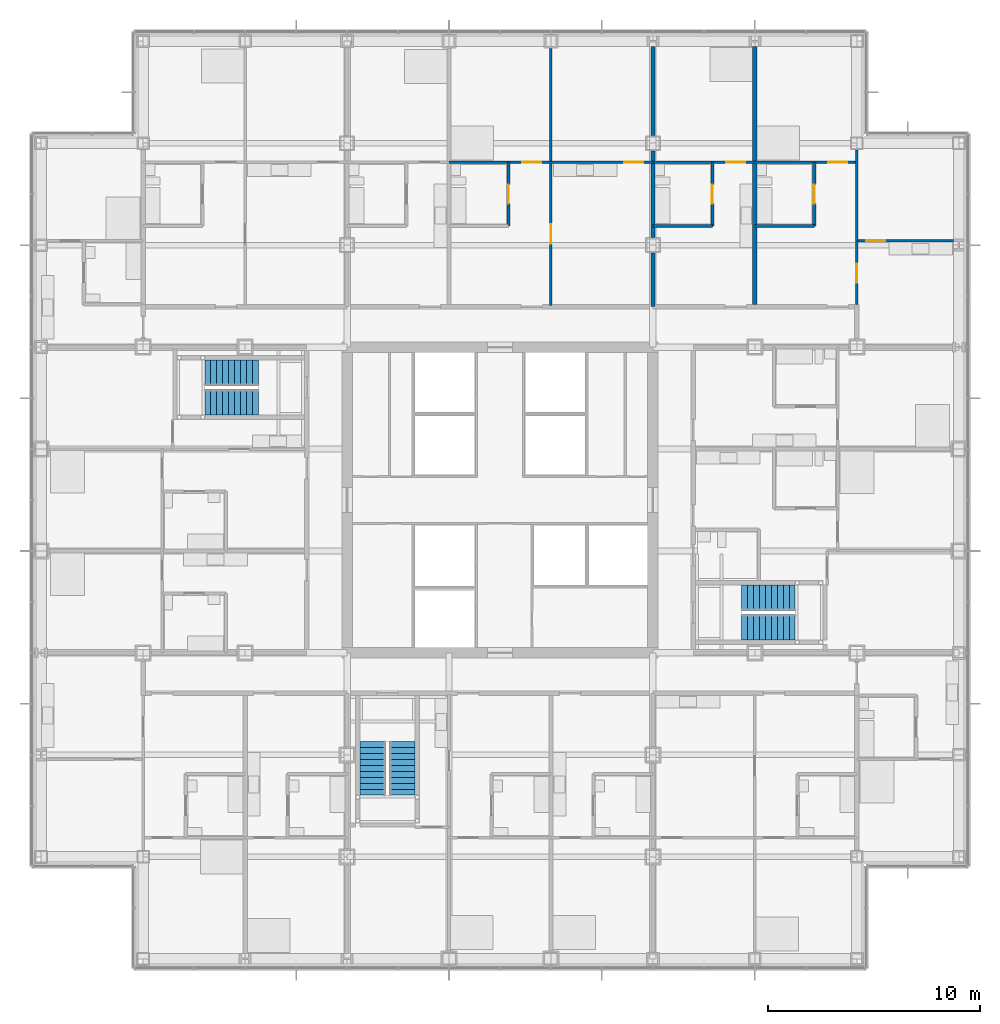
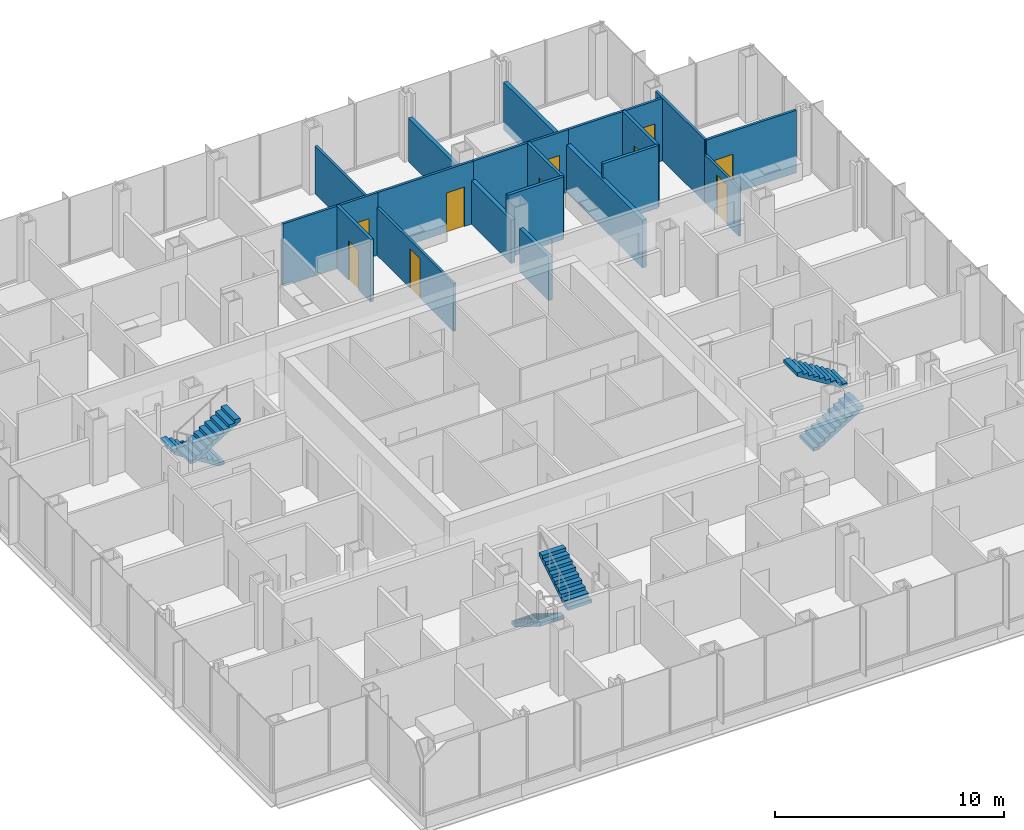
# One storey, part 18 of 21: 18 walls, 10 doors, 6 stair flights, 10 openings, 3 elements without a shape of their own.
"""IFC4 building model written with IfcOpenShell, lengths in metres."""

from ifc_helpers import new_model, si_unit, direction, frame, frame_2d, origin, place, context, subcontext, project, spatial, polyline, rectangle, outline, extrude, material, layer, layer_set, type_object, element, fill, aggregate, save


model = new_model("IFC4")

# Units and contexts
model_context = context("Model", 3, precision=1e-05, world=origin(), true_north=direction((0.0, 1.0)))
body_context = subcontext(model_context, "Body", "Model", "MODEL_VIEW")
ifc_project = project(units=[si_unit("LENGTHUNIT", "METRE"), si_unit("AREAUNIT", "SQUARE_METRE"), si_unit("VOLUMEUNIT", "CUBIC_METRE"), si_unit("PLANEANGLEUNIT", "RADIAN"), si_unit("MASSUNIT", "GRAM", prefix="KILO")], contexts=[model_context])

# Site, building, storey
site_placement = place(None, origin())
site = spatial("IfcSite", under=ifc_project, at=site_placement, CompositionType="ELEMENT")
building_placement = place(site_placement, origin())
building = spatial("IfcBuilding", under=site, at=building_placement, Name="Kvirike Care Tower", CompositionType="ELEMENT")
storey_placement = place(building_placement, frame((0.0, 0.0, 30.5)))
storey = spatial("IfcBuildingStorey", under=building, at=storey_placement, Name="L07", CompositionType="ELEMENT", Elevation=30.5)

# Wall, opening, door
ifc_material_1 = material(Name="Moisture-resistant board partition", Category="gypsum")
ifc_layer_1 = layer(ifc_material_1, 0.14990234375)
ifc_layer_set_1 = layer_set([ifc_layer_1], Name="BATHROOM WALL 150")
wall_type_1 = type_object("IfcWallType", Name="BATHROOM WALL 150", PredefinedType="PARTITIONING", material=ifc_layer_set_1)
wall_1_placement = place(storey_placement, frame((22.0, 51.89990234375, 0.0), z_axis=(0.0, 0.0, 1.0), x_axis=(0.0, -1.0, 0.0)))
wall_1 = element("IfcWall", 1, at=wall_1_placement, inside=storey, type_object=wall_type_1, Name="Bathroom Wall 150 L07", PredefinedType="PARTITIONING", context=body_context, shape_type="SweptSolid", body=[
    extrude(rectangle(XDim=3.0, YDim=0.14990234375, at=frame_2d((1.5, 0.0))), origin(), (0.0, 0.0, 1.0), 3.330078125),
])
opening_1_placement = place(wall_1_placement, frame((1.050048828125, 0.0, 0.0)))
opening_1 = element("IfcOpeningElement", 2, at=opening_1_placement, cuts=wall_1, Name="Opening 07-035", PredefinedType="OPENING", context=body_context, shape_type="SweptSolid", body=[
    extrude(rectangle(XDim=0.89990234375, YDim=2.10009765625, at=frame_2d((0.449951171875, 1.050048828125))), frame((0.0, 0.08544921875, 0.0), z_axis=(0.0, -1.0, 0.0), x_axis=(1.0, 0.0, 0.0)), (0.0, 0.0, 1.0), 0.1708984375),
])
ifc_material_2 = material(Name="Timber door set", Category="wood")
door_type_1 = type_object("IfcDoorType", Name="BATHROOM DOOR 900", OperationType="SINGLE_SWING_RIGHT", PredefinedType="DOOR", material=ifc_material_2)
door_1_placement = place(opening_1_placement, frame((0.89990234375, 0.0, 0.0), z_axis=(0.0, 0.0, 1.0), x_axis=(-1.0, 0.0, 0.0)))
door_1 = element("IfcDoor", 3, at=door_1_placement, inside=storey, type_object=door_type_1, Name="Bathroom door", OperationType="SINGLE_SWING_LEFT", OverallHeight=2.10009765625, OverallWidth=0.89990234375, PredefinedType="DOOR", context=body_context, shape_type="SweptSolid", body=[
    extrude(rectangle(XDim=0.89990234375, YDim=2.10009765625, at=frame_2d((0.449951171875, 1.050048828125))), frame((0.0, 0.02197265625, 0.0), z_axis=(0.0, -1.0, 0.0), x_axis=(1.0, 0.0, 0.0)), (0.0, 0.0, 1.0), 0.0439453125),
])
fill(opening_1, door_1)

wall_2_placement = place(storey_placement, frame((36.39990234375, 51.89990234375, 0.0), z_axis=(0.0, 0.0, 1.0), x_axis=(0.0, -1.0, 0.0)))
wall_2 = element("IfcWall", 4, at=wall_2_placement, inside=storey, type_object=wall_type_1, Name="Bathroom Wall 150 L07", PredefinedType="PARTITIONING", context=body_context, shape_type="SweptSolid", body=[
    extrude(rectangle(XDim=3.0, YDim=0.14990234375, at=frame_2d((1.5, 0.0))), origin(), (0.0, 0.0, 1.0), 3.330078125),
])
opening_2_placement = place(wall_2_placement, frame((1.050048828125, 0.0, 0.0)))
opening_2 = element("IfcOpeningElement", 5, at=opening_2_placement, cuts=wall_2, Name="Opening 07-060", PredefinedType="OPENING", context=body_context, shape_type="SweptSolid", body=[
    extrude(rectangle(XDim=0.89990234375, YDim=2.10009765625, at=frame_2d((0.449951171875, 1.050048828125))), frame((0.0, 0.08544921875, 0.0), z_axis=(0.0, -1.0, 0.0), x_axis=(1.0, 0.0, 0.0)), (0.0, 0.0, 1.0), 0.1708984375),
])
door_2_placement = place(opening_2_placement, frame((0.89990234375, 0.0, 0.0), z_axis=(0.0, 0.0, 1.0), x_axis=(-1.0, 0.0, 0.0)))
door_2 = element("IfcDoor", 6, at=door_2_placement, inside=storey, type_object=door_type_1, Name="Bathroom door", OperationType="SINGLE_SWING_LEFT", OverallHeight=2.10009765625, OverallWidth=0.89990234375, PredefinedType="DOOR", context=body_context, shape_type="SweptSolid", body=[
    extrude(rectangle(XDim=0.89990234375, YDim=2.10009765625, at=frame_2d((0.449951171875, 1.050048828125))), frame((0.0, 0.02197265625, 0.0), z_axis=(0.0, -1.0, 0.0), x_axis=(1.0, 0.0, 0.0)), (0.0, 0.0, 1.0), 0.0439453125),
])
fill(opening_2, door_2)

# Wall
wall_3_placement = place(storey_placement, frame((36.39990234375, 48.89990234375, 0.0), z_axis=(0.0, 0.0, 1.0), x_axis=(-1.0, 0.0, 0.0)))
element("IfcWall", 7, at=wall_3_placement, inside=storey, type_object=wall_type_1, Name="Bathroom Wall 150 L07", PredefinedType="PARTITIONING", context=body_context, shape_type="SweptSolid", body=[
    extrude(rectangle(XDim=2.7998046875, YDim=0.14990234375, at=frame_2d((1.39990234375, 0.0))), origin(), (0.0, 0.0, 1.0), 3.330078125),
])

# Wall, opening, door
wall_4_placement = place(storey_placement, frame((31.60009765625, 51.89990234375, 0.0), z_axis=(0.0, 0.0, 1.0), x_axis=(0.0, -1.0, 0.0)))
wall_4 = element("IfcWall", 8, at=wall_4_placement, inside=storey, type_object=wall_type_1, Name="Bathroom Wall 150 L07", PredefinedType="PARTITIONING", context=body_context, shape_type="SweptSolid", body=[
    extrude(rectangle(XDim=3.0, YDim=0.14990234375, at=frame_2d((1.5, 0.0))), origin(), (0.0, 0.0, 1.0), 3.330078125),
])
opening_3_placement = place(wall_4_placement, frame((1.050048828125, 0.0, 0.0)))
opening_3 = element("IfcOpeningElement", 9, at=opening_3_placement, cuts=wall_4, Name="Opening 07-064", PredefinedType="OPENING", context=body_context, shape_type="SweptSolid", body=[
    extrude(rectangle(XDim=0.89990234375, YDim=2.10009765625, at=frame_2d((0.449951171875, 1.050048828125))), frame((0.0, 0.08544921875, 0.0), z_axis=(0.0, -1.0, 0.0), x_axis=(1.0, 0.0, 0.0)), (0.0, 0.0, 1.0), 0.1708984375),
])
door_3_placement = place(opening_3_placement, frame((0.89990234375, 0.0, 0.0), z_axis=(0.0, 0.0, 1.0), x_axis=(-1.0, 0.0, 0.0)))
door_3 = element("IfcDoor", 10, at=door_3_placement, inside=storey, type_object=door_type_1, Name="Bathroom door", OperationType="SINGLE_SWING_LEFT", OverallHeight=2.10009765625, OverallWidth=0.89990234375, PredefinedType="DOOR", context=body_context, shape_type="SweptSolid", body=[
    extrude(rectangle(XDim=0.89990234375, YDim=2.10009765625, at=frame_2d((0.449951171875, 1.050048828125))), frame((0.0, 0.02197265625, 0.0), z_axis=(0.0, -1.0, 0.0), x_axis=(1.0, 0.0, 0.0)), (0.0, 0.0, 1.0), 0.0439453125),
])
fill(opening_3, door_3)

# Wall
wall_5_placement = place(storey_placement, frame((31.60009765625, 48.89990234375, 0.0), z_axis=(0.0, 0.0, 1.0), x_axis=(-1.0, 0.0, 0.0)))
element("IfcWall", 11, at=wall_5_placement, inside=storey, type_object=wall_type_1, Name="Bathroom Wall 150 L07", PredefinedType="PARTITIONING", context=body_context, shape_type="SweptSolid", body=[
    extrude(rectangle(XDim=2.800048828125, YDim=0.14990234375, at=frame_2d((1.39990234375, 0.0))), origin(), (0.0, 0.0, 1.0), 3.330078125),
])

# Wall, opening, door
ifc_material_3 = material(Name="Plasterboard partition", Category="gypsum")
ifc_layer_2 = layer(ifc_material_3, 0.1201171875)
ifc_layer_set_2 = layer_set([ifc_layer_2], Name="PARTITION 120")
wall_type_2 = type_object("IfcWallType", Name="PARTITION 120", PredefinedType="PARTITIONING", material=ifc_layer_set_2)
wall_6_placement = place(storey_placement, frame((24.0, 51.89990234375, 0.0), z_axis=(0.0, 0.0, 1.0), x_axis=(0.0, -1.0, 0.0)))
wall_6 = element("IfcWall", 12, at=wall_6_placement, inside=storey, type_object=wall_type_2, Name="Partition 120 L07", PredefinedType="PARTITIONING", context=body_context, shape_type="SweptSolid", body=[
    extrude(rectangle(XDim=6.75, YDim=0.1201171875, at=frame_2d((3.375, 0.0))), origin(), (0.0, 0.0, 1.0), 2.550048828125),
])
opening_4_placement = place(wall_6_placement, frame((2.925048828125, 0.0, 0.0)))
opening_4 = element("IfcOpeningElement", 13, at=opening_4_placement, cuts=wall_6, Name="Opening 07-036", PredefinedType="OPENING", context=body_context, shape_type="SweptSolid", body=[
    extrude(rectangle(XDim=0.89990234375, YDim=2.10009765625, at=frame_2d((0.449951171875, 1.050048828125))), frame((0.0, 0.070556640625, 0.0), z_axis=(0.0, -1.0, 0.0), x_axis=(1.0, 0.0, 0.0)), (0.0, 0.0, 1.0), 0.14111328125),
])
ifc_material_4 = material(Name="Timber door set", Category="wood")
door_type_2 = type_object("IfcDoorType", Name="INTERNAL DOOR 900", OperationType="SINGLE_SWING_LEFT", PredefinedType="DOOR", material=ifc_material_4)
door_4_placement = place(opening_4_placement, frame((0.89990234375, 0.0, 0.0), z_axis=(0.0, 0.0, 1.0), x_axis=(-1.0, 0.0, 0.0)))
door_4 = element("IfcDoor", 14, at=door_4_placement, inside=storey, type_object=door_type_2, Name="Hall door", OperationType="SINGLE_SWING_RIGHT", OverallHeight=2.10009765625, OverallWidth=0.89990234375, PredefinedType="DOOR", context=body_context, shape_type="SweptSolid", body=[
    extrude(rectangle(XDim=0.89990234375, YDim=2.10009765625, at=frame_2d((0.449951171875, 1.050048828125))), frame((0.0, 0.02197265625, 0.0), z_axis=(0.0, -1.0, 0.0), x_axis=(1.0, 0.0, 0.0)), (0.0, 0.0, 1.0), 0.0439453125),
])
fill(opening_4, door_4)

wall_7_placement = place(storey_placement, frame((28.800048828125, 51.89990234375, 0.0), z_axis=(0.0, 0.0, 1.0), x_axis=(-1.0, 0.0, 0.0)))
wall_7 = element("IfcWall", 15, at=wall_7_placement, inside=storey, type_object=wall_type_2, Name="Partition 120 L07", PredefinedType="PARTITIONING", context=body_context, shape_type="SweptSolid", body=[
    extrude(rectangle(XDim=4.800048828125, YDim=0.1201171875, at=frame_2d((2.39990234375, 0.0))), origin(), (0.0, 0.0, 1.0), 3.330078125),
])
opening_5_placement = place(wall_7_placement, frame((0.449951171875, 0.0, 0.0)))
opening_5 = element("IfcOpeningElement", 16, at=opening_5_placement, cuts=wall_7, Name="Opening 07-037", PredefinedType="OPENING", context=body_context, shape_type="SweptSolid", body=[
    extrude(rectangle(XDim=0.89990234375, YDim=2.10009765625, at=frame_2d((0.449951171875, 1.050048828125))), frame((0.0, 0.070556640625, 0.0), z_axis=(0.0, -1.0, 0.0), x_axis=(1.0, 0.0, 0.0)), (0.0, 0.0, 1.0), 0.14111328125),
])
door_5_placement = place(opening_5_placement, frame((0.89990234375, 0.0, 0.0), z_axis=(0.0, 0.0, 1.0), x_axis=(-1.0, 0.0, 0.0)))
door_5 = element("IfcDoor", 17, at=door_5_placement, inside=storey, type_object=door_type_2, Name="Apartment living room door", OperationType="SINGLE_SWING_LEFT", OverallHeight=2.10009765625, OverallWidth=0.89990234375, PredefinedType="DOOR", context=body_context, shape_type="SweptSolid", body=[
    extrude(rectangle(XDim=0.89990234375, YDim=2.10009765625, at=frame_2d((0.449951171875, 1.050048828125))), frame((0.0, 0.02197265625, 0.0), z_axis=(0.0, -1.0, 0.0), x_axis=(1.0, 0.0, 0.0)), (0.0, 0.0, 1.0), 0.0439453125),
])
fill(opening_5, door_5)

wall_8_placement = place(storey_placement, frame((24.0, 51.89990234375, 0.0), z_axis=(0.0, 0.0, 1.0), x_axis=(-1.0, 0.0, 0.0)))
wall_8 = element("IfcWall", 18, at=wall_8_placement, inside=storey, type_object=wall_type_2, Name="Partition 120 L07", PredefinedType="PARTITIONING", context=body_context, shape_type="SweptSolid", body=[
    extrude(rectangle(XDim=4.800048828125, YDim=0.1201171875, at=frame_2d((2.39990234375, 0.0))), origin(), (0.0, 0.0, 1.0), 3.330078125),
])
opening_6_placement = place(wall_8_placement, frame((0.449951171875, 0.0, 0.0)))
opening_6 = element("IfcOpeningElement", 19, at=opening_6_placement, cuts=wall_8, Name="Opening 07-038", PredefinedType="OPENING", context=body_context, shape_type="SweptSolid", body=[
    extrude(rectangle(XDim=0.89990234375, YDim=2.10009765625, at=frame_2d((0.449951171875, 1.050048828125))), frame((0.0, 0.070556640625, 0.0), z_axis=(0.0, -1.0, 0.0), x_axis=(1.0, 0.0, 0.0)), (0.0, 0.0, 1.0), 0.14111328125),
])
door_6_placement = place(opening_6_placement, origin())
door_6 = element("IfcDoor", 20, at=door_6_placement, inside=storey, type_object=door_type_2, Name="Apartment bedroom door", OperationType="SINGLE_SWING_RIGHT", OverallHeight=2.10009765625, OverallWidth=0.89990234375, PredefinedType="DOOR", context=body_context, shape_type="SweptSolid", body=[
    extrude(rectangle(XDim=0.89990234375, YDim=2.10009765625, at=frame_2d((0.449951171875, 1.050048828125))), frame((0.0, 0.02197265625, 0.0), z_axis=(0.0, -1.0, 0.0), x_axis=(1.0, 0.0, 0.0)), (0.0, 0.0, 1.0), 0.0439453125),
])
fill(opening_6, door_6)

# Wall
wall_9_placement = place(storey_placement, frame((24.0, 57.2548828125, 0.0), z_axis=(0.0, 0.0, 1.0), x_axis=(0.0, -1.0, 0.0)))
element("IfcWall", 21, at=wall_9_placement, inside=storey, type_object=wall_type_2, Name="Partition 120 L07", PredefinedType="PARTITIONING", context=body_context, shape_type="SweptSolid", body=[
    extrude(rectangle(XDim=5.35498046875, YDim=0.1201171875, at=frame_2d((2.677490234375, 0.0))), origin(), (0.0, 0.0, 1.0), 2.550048828125),
])

# Wall, opening, door
wall_10_placement = place(storey_placement, frame((38.39990234375, 48.199951171875, 0.0), z_axis=(0.0, 0.0, 1.0), x_axis=(0.0, -1.0, 0.0)))
wall_10 = element("IfcWall", 22, at=wall_10_placement, inside=storey, type_object=wall_type_2, Name="Partition 120 L07", PredefinedType="PARTITIONING", context=body_context, shape_type="SweptSolid", body=[
    extrude(rectangle(XDim=3.0, YDim=0.1201171875, at=frame_2d((1.5, 0.0))), origin(), (0.0, 0.0, 1.0), 2.550048828125),
])
opening_7_placement = place(wall_10_placement, frame((1.074951171875, 0.0, 0.0)))
opening_7 = element("IfcOpeningElement", 23, at=opening_7_placement, cuts=wall_10, Name="Opening 07-061", PredefinedType="OPENING", context=body_context, shape_type="SweptSolid", body=[
    extrude(rectangle(XDim=0.89990234375, YDim=2.10009765625, at=frame_2d((0.449951171875, 1.050048828125))), frame((0.0, 0.070556640625, 0.0), z_axis=(0.0, -1.0, 0.0), x_axis=(1.0, 0.0, 0.0)), (0.0, 0.0, 1.0), 0.14111328125),
])
door_7_placement = place(opening_7_placement, frame((0.89990234375, 0.0, 0.0), z_axis=(0.0, 0.0, 1.0), x_axis=(-1.0, 0.0, 0.0)))
door_7 = element("IfcDoor", 24, at=door_7_placement, inside=storey, type_object=door_type_2, Name="Hall door", OperationType="SINGLE_SWING_RIGHT", OverallHeight=2.10009765625, OverallWidth=0.89990234375, PredefinedType="DOOR", context=body_context, shape_type="SweptSolid", body=[
    extrude(rectangle(XDim=0.89990234375, YDim=2.10009765625, at=frame_2d((0.449951171875, 1.050048828125))), frame((0.0, 0.02197265625, 0.0), z_axis=(0.0, -1.0, 0.0), x_axis=(1.0, 0.0, 0.0)), (0.0, 0.0, 1.0), 0.0439453125),
])
fill(opening_7, door_7)

wall_11_placement = place(storey_placement, frame((42.952880859375, 48.199951171875, 0.0), z_axis=(0.0, 0.0, 1.0), x_axis=(-1.0, 0.0, 0.0)))
wall_11 = element("IfcWall", 25, at=wall_11_placement, inside=storey, type_object=wall_type_2, Name="Partition 120 L07", PredefinedType="PARTITIONING", context=body_context, shape_type="SweptSolid", body=[
    extrude(rectangle(XDim=4.552978515625, YDim=0.1201171875, at=frame_2d((2.2763671875, 0.0))), origin(), (0.0, 0.0, 1.0), 3.330078125),
])
opening_8_placement = place(wall_11_placement, frame((3.202880859375, 0.0, 0.0)))
opening_8 = element("IfcOpeningElement", 26, at=opening_8_placement, cuts=wall_11, Name="Opening 07-062", PredefinedType="OPENING", context=body_context, shape_type="SweptSolid", body=[
    extrude(rectangle(XDim=0.89990234375, YDim=2.10009765625, at=frame_2d((0.449951171875, 1.050048828125))), frame((0.0, 0.070556640625, 0.0), z_axis=(0.0, -1.0, 0.0), x_axis=(1.0, 0.0, 0.0)), (0.0, 0.0, 1.0), 0.14111328125),
])
door_8_placement = place(opening_8_placement, frame((0.89990234375, 0.0, 0.0), z_axis=(0.0, 0.0, 1.0), x_axis=(-1.0, 0.0, 0.0)))
door_8 = element("IfcDoor", 27, at=door_8_placement, inside=storey, type_object=door_type_2, Name="Apartment living room door", OperationType="SINGLE_SWING_RIGHT", OverallHeight=2.10009765625, OverallWidth=0.89990234375, PredefinedType="DOOR", context=body_context, shape_type="SweptSolid", body=[
    extrude(rectangle(XDim=0.89990234375, YDim=2.10009765625, at=frame_2d((0.449951171875, 1.050048828125))), frame((0.0, 0.02197265625, 0.0), z_axis=(0.0, -1.0, 0.0), x_axis=(1.0, 0.0, 0.0)), (0.0, 0.0, 1.0), 0.0439453125),
])
fill(opening_8, door_8)

wall_12_placement = place(storey_placement, frame((38.39990234375, 51.89990234375, 0.0), z_axis=(0.0, 0.0, 1.0), x_axis=(-1.0, 0.0, 0.0)))
wall_12 = element("IfcWall", 28, at=wall_12_placement, inside=storey, type_object=wall_type_2, Name="Partition 120 L07", PredefinedType="PARTITIONING", context=body_context, shape_type="SweptSolid", body=[
    extrude(rectangle(XDim=4.7998046875, YDim=0.1201171875, at=frame_2d((2.39990234375, 0.0))), origin(), (0.0, 0.0, 1.0), 3.330078125),
])
opening_9_placement = place(wall_12_placement, frame((0.449951171875, 0.0, 0.0)))
opening_9 = element("IfcOpeningElement", 29, at=opening_9_placement, cuts=wall_12, Name="Opening 07-063", PredefinedType="OPENING", context=body_context, shape_type="SweptSolid", body=[
    extrude(rectangle(XDim=0.89990234375, YDim=2.10009765625, at=frame_2d((0.449951171875, 1.050048828125))), frame((0.0, 0.070556640625, 0.0), z_axis=(0.0, -1.0, 0.0), x_axis=(1.0, 0.0, 0.0)), (0.0, 0.0, 1.0), 0.14111328125),
])
door_9_placement = place(opening_9_placement, origin())
door_9 = element("IfcDoor", 30, at=door_9_placement, inside=storey, type_object=door_type_2, Name="Apartment bedroom door", OperationType="SINGLE_SWING_RIGHT", OverallHeight=2.10009765625, OverallWidth=0.89990234375, PredefinedType="DOOR", context=body_context, shape_type="SweptSolid", body=[
    extrude(rectangle(XDim=0.89990234375, YDim=2.10009765625, at=frame_2d((0.449951171875, 1.050048828125))), frame((0.0, 0.02197265625, 0.0), z_axis=(0.0, -1.0, 0.0), x_axis=(1.0, 0.0, 0.0)), (0.0, 0.0, 1.0), 0.0439453125),
])
fill(opening_9, door_9)

# Wall
wall_13_placement = place(storey_placement, frame((38.39990234375, 52.47998046875, 0.0), z_axis=(0.0, 0.0, 1.0), x_axis=(0.0, -1.0, 0.0)))
element("IfcWall", 31, at=wall_13_placement, inside=storey, type_object=wall_type_2, Name="Partition 120 L07", PredefinedType="PARTITIONING", context=body_context, shape_type="SweptSolid", body=[
    extrude(rectangle(XDim=4.280029296875, YDim=0.1201171875, at=frame_2d((2.14013671875, 0.0))), origin(), (0.0, 0.0, 1.0), 3.330078125),
])

# Wall, opening, door
wall_14_placement = place(storey_placement, frame((33.60009765625, 51.89990234375, 0.0), z_axis=(0.0, 0.0, 1.0), x_axis=(-1.0, 0.0, 0.0)))
wall_14 = element("IfcWall", 32, at=wall_14_placement, inside=storey, type_object=wall_type_2, Name="Partition 120 L07", PredefinedType="PARTITIONING", context=body_context, shape_type="SweptSolid", body=[
    extrude(rectangle(XDim=4.800048828125, YDim=0.1201171875, at=frame_2d((2.39990234375, 0.0))), origin(), (0.0, 0.0, 1.0), 3.330078125),
])
opening_10_placement = place(wall_14_placement, frame((0.449951171875, 0.0, 0.0)))
opening_10 = element("IfcOpeningElement", 33, at=opening_10_placement, cuts=wall_14, Name="Opening 07-065", PredefinedType="OPENING", context=body_context, shape_type="SweptSolid", body=[
    extrude(rectangle(XDim=0.89990234375, YDim=2.10009765625, at=frame_2d((0.449951171875, 1.050048828125))), frame((0.0, 0.070556640625, 0.0), z_axis=(0.0, -1.0, 0.0), x_axis=(1.0, 0.0, 0.0)), (0.0, 0.0, 1.0), 0.14111328125),
])
door_10_placement = place(opening_10_placement, origin())
door_10 = element("IfcDoor", 34, at=door_10_placement, inside=storey, type_object=door_type_2, Name="Studio apartment living room door", OperationType="SINGLE_SWING_RIGHT", OverallHeight=2.10009765625, OverallWidth=0.89990234375, PredefinedType="DOOR", context=body_context, shape_type="SweptSolid", body=[
    extrude(rectangle(XDim=0.89990234375, YDim=2.10009765625, at=frame_2d((0.449951171875, 1.050048828125))), frame((0.0, 0.02197265625, 0.0), z_axis=(0.0, -1.0, 0.0), x_axis=(1.0, 0.0, 0.0)), (0.0, 0.0, 1.0), 0.0439453125),
])
fill(opening_10, door_10)

# Walls
ifc_material_5 = material(Name="Plasterboard party wall", Category="gypsum")
ifc_layer_3 = layer(ifc_material_5, 0.199951171875)
ifc_layer_set_3 = layer_set([ifc_layer_3], Name="PARTY WALL 200")
wall_type_3 = type_object("IfcWallType", Name="PARTY WALL 200", PredefinedType="PARTITIONING", material=ifc_layer_set_3)
wall_15_placement = place(storey_placement, frame((33.60009765625, 57.35302734375, 0.0), z_axis=(0.0, 0.0, 1.0), x_axis=(0.0, -1.0, 0.0)))
element("IfcWall", 35, at=wall_15_placement, inside=storey, type_object=wall_type_3, Name="Party Wall 200 L07", PredefinedType="PARTITIONING", context=body_context, shape_type="SweptSolid", body=[
    extrude(rectangle(XDim=12.153076171875, YDim=0.199951171875, at=frame_2d((6.07666015625, 0.0))), origin(), (0.0, 0.0, 1.0), 2.550048828125),
])
wall_16_placement = place(storey_placement, frame((28.800048828125, 45.10009765625, 0.0), z_axis=(0.0, 0.0, 1.0), x_axis=(0.0, 1.0, 0.0)))
element("IfcWall", 36, at=wall_16_placement, inside=storey, type_object=wall_type_3, Name="Party Wall 200 L07", PredefinedType="PARTITIONING", context=body_context, shape_type="SweptSolid", body=[
    extrude(rectangle(XDim=2.52978515625, YDim=0.199951171875, at=frame_2d((1.264892578125, 0.0))), origin(), (0.0, 0.0, 1.0), 2.320068359375),
])
wall_17_placement = place(storey_placement, frame((28.800048828125, 48.3701171875, 0.0), z_axis=(0.0, 0.0, 1.0), x_axis=(0.0, 1.0, 0.0)))
element("IfcWall", 37, at=wall_17_placement, inside=storey, type_object=wall_type_3, Name="Party Wall 200 L07", PredefinedType="PARTITIONING", context=body_context, shape_type="SweptSolid", body=[
    extrude(rectangle(XDim=4.059814453125, YDim=0.199951171875, at=frame_2d((2.02978515625, 0.0))), origin(), (0.0, 0.0, 1.0), 2.320068359375),
])
wall_18_placement = place(storey_placement, frame((28.800048828125, 53.169921875, 0.0), z_axis=(0.0, 0.0, 1.0), x_axis=(0.0, 1.0, 0.0)))
element("IfcWall", 38, at=wall_18_placement, inside=storey, type_object=wall_type_3, Name="Party Wall 200 L07", PredefinedType="PARTITIONING", context=body_context, shape_type="SweptSolid", body=[
    extrude(rectangle(XDim=4.18310546875, YDim=0.199951171875, at=frame_2d((2.091552734375, 0.0))), origin(), (0.0, 0.0, 1.0), 2.320068359375),
])

# Stair, stair flights
ifc_material_6 = material(Name="Concrete C35/45", Category="concrete")
stair_type = type_object("IfcStairType", Name="STAIR 20 RISERS", PredefinedType="HALF_TURN_STAIR", material=ifc_material_6)
stair_1_placement = place(storey_placement, origin())
stair_1 = element("IfcStair", 39, at=stair_1_placement, inside=storey, type_object=stair_type, Name="Stair 1 L07", PredefinedType="HALF_TURN_STAIR")
ifc_material_7 = material(Name="Concrete C35/45", Category="concrete")
stair_flight_type = type_object("IfcStairFlightType", Name="FLIGHT 10 RISERS", PredefinedType="STRAIGHT", material=ifc_material_7)
stair_flight_1_placement = place(storey_placement, frame((10.219970703125, 42.0, 0.0), z_axis=(0.0, 0.0, 1.0), x_axis=(-1.0, 0.0, 0.0)))
stair_flight_1 = element("IfcStairFlight", 40, at=stair_flight_1_placement, type_object=stair_flight_type, Name="Stair S1 flight 1 L07-L08", NumberOfRisers=10, NumberOfTreads=9, PredefinedType="STRAIGHT", RiserHeight=0.175, TreadLength=0.28, context=body_context, shape_type="SweptSolid", body=[
    extrude(outline(polyline([(0.0, 0.0), (0.0, 0.175048828125), (0.280029296875, 0.175048828125), (0.280029296875, 0.35009765625), (0.56005859375, 0.35009765625), (0.56005859375, 0.52490234375), (0.840087890625, 0.52490234375), (0.840087890625, 0.699951171875), (1.1201171875, 0.699951171875), (1.1201171875, 0.875), (1.39990234375, 0.875), (1.39990234375, 1.050048828125), (1.679931640625, 1.050048828125), (1.679931640625, 1.22509765625), (1.9599609375, 1.22509765625), (1.9599609375, 1.39990234375), (2.239990234375, 1.39990234375), (2.239990234375, 1.574951171875), (2.52001953125, 1.574951171875), (2.52001953125, 1.75), (2.52001953125, 1.398193359375), (0.28271484375, 0.0), (0.0, 0.0)])), frame((0.0, 0.60009765625, 0.0), z_axis=(0.0, -1.0, 0.0), x_axis=(1.0, 0.0, 0.0)), (0.0, 0.0, 1.0), 1.199951171875),
])
stair_flight_2_placement = place(storey_placement, frame((7.699951171875, 40.60009765625, 1.75), z_axis=(0.0, 0.0, 1.0), x_axis=(1.0, 0.0, 0.0)))
stair_flight_2 = element("IfcStairFlight", 41, at=stair_flight_2_placement, type_object=stair_flight_type, Name="Stair S1 flight 2 L07-L08", NumberOfRisers=10, NumberOfTreads=9, PredefinedType="STRAIGHT", RiserHeight=0.175, TreadLength=0.28, context=body_context, shape_type="SweptSolid", body=[
    extrude(outline(polyline([(0.0, 0.0), (0.0, 0.175048828125), (0.280029296875, 0.175048828125), (0.280029296875, 0.35009765625), (0.56005859375, 0.35009765625), (0.56005859375, 0.52490234375), (0.840087890625, 0.52490234375), (0.840087890625, 0.699951171875), (1.1201171875, 0.699951171875), (1.1201171875, 0.875), (1.39990234375, 0.875), (1.39990234375, 1.050048828125), (1.679931640625, 1.050048828125), (1.679931640625, 1.22509765625), (1.9599609375, 1.22509765625), (1.9599609375, 1.39990234375), (2.239990234375, 1.39990234375), (2.239990234375, 1.574951171875), (2.52001953125, 1.574951171875), (2.52001953125, 1.75), (2.52001953125, 1.398193359375), (0.28271484375, 0.0), (0.0, 0.0)])), frame((0.0, 0.60009765625, 0.0), z_axis=(0.0, -1.0, 0.0), x_axis=(1.0, 0.0, 0.0)), (0.0, 0.0, 1.0), 1.199951171875),
])
aggregate(stair_1, [stair_flight_1, stair_flight_2])

stair_2_placement = place(storey_placement, origin())
stair_2 = element("IfcStair", 42, at=stair_2_placement, inside=storey, type_object=stair_type, Name="Stair 2 L07", PredefinedType="HALF_TURN_STAIR")
stair_flight_3_placement = place(storey_placement, frame((32.97998046875, 30.0, 0.0), z_axis=(0.0, 0.0, 1.0), x_axis=(1.0, 0.0, 0.0)))
stair_flight_3 = element("IfcStairFlight", 43, at=stair_flight_3_placement, type_object=stair_flight_type, Name="Stair S2 flight 1 L07-L08", NumberOfRisers=10, NumberOfTreads=9, PredefinedType="STRAIGHT", RiserHeight=0.175, TreadLength=0.28, context=body_context, shape_type="SweptSolid", body=[
    extrude(outline(polyline([(0.0, 0.0), (0.0, 0.175048828125), (0.280029296875, 0.175048828125), (0.280029296875, 0.35009765625), (0.56005859375, 0.35009765625), (0.56005859375, 0.52490234375), (0.840087890625, 0.52490234375), (0.840087890625, 0.699951171875), (1.1201171875, 0.699951171875), (1.1201171875, 0.875), (1.39990234375, 0.875), (1.39990234375, 1.050048828125), (1.679931640625, 1.050048828125), (1.679931640625, 1.22509765625), (1.9599609375, 1.22509765625), (1.9599609375, 1.39990234375), (2.239990234375, 1.39990234375), (2.239990234375, 1.574951171875), (2.52001953125, 1.574951171875), (2.52001953125, 1.75), (2.52001953125, 1.398193359375), (0.28271484375, 0.0), (0.0, 0.0)])), frame((0.0, 0.60009765625, 0.0), z_axis=(0.0, -1.0, 0.0), x_axis=(1.0, 0.0, 0.0)), (0.0, 0.0, 1.0), 1.199951171875),
])
stair_flight_4_placement = place(storey_placement, frame((35.5, 31.39990234375, 1.75), z_axis=(0.0, 0.0, 1.0), x_axis=(-1.0, 0.0, 0.0)))
stair_flight_4 = element("IfcStairFlight", 44, at=stair_flight_4_placement, type_object=stair_flight_type, Name="Stair S2 flight 2 L07-L08", NumberOfRisers=10, NumberOfTreads=9, PredefinedType="STRAIGHT", RiserHeight=0.175, TreadLength=0.28, context=body_context, shape_type="SweptSolid", body=[
    extrude(outline(polyline([(0.0, 0.0), (0.0, 0.175048828125), (0.280029296875, 0.175048828125), (0.280029296875, 0.35009765625), (0.56005859375, 0.35009765625), (0.56005859375, 0.52490234375), (0.840087890625, 0.52490234375), (0.840087890625, 0.699951171875), (1.1201171875, 0.699951171875), (1.1201171875, 0.875), (1.39990234375, 0.875), (1.39990234375, 1.050048828125), (1.679931640625, 1.050048828125), (1.679931640625, 1.22509765625), (1.9599609375, 1.22509765625), (1.9599609375, 1.39990234375), (2.239990234375, 1.39990234375), (2.239990234375, 1.574951171875), (2.52001953125, 1.574951171875), (2.52001953125, 1.75), (2.52001953125, 1.398193359375), (0.28271484375, 0.0), (0.0, 0.0)])), frame((0.0, 0.60009765625, 0.0), z_axis=(0.0, -1.0, 0.0), x_axis=(1.0, 0.0, 0.0)), (0.0, 0.0, 1.0), 1.199951171875),
])
aggregate(stair_2, [stair_flight_3, stair_flight_4])

stair_3_placement = place(storey_placement, origin())
stair_3 = element("IfcStair", 45, at=stair_3_placement, inside=storey, type_object=stair_type, Name="Stair 5 L07", PredefinedType="HALF_TURN_STAIR")
stair_flight_5_placement = place(storey_placement, frame((15.60009765625, 24.6201171875, 0.0), z_axis=(0.0, 0.0, 1.0), x_axis=(0.0, -1.0, 0.0)))
stair_flight_5 = element("IfcStairFlight", 46, at=stair_flight_5_placement, type_object=stair_flight_type, Name="Stair S5 flight 1 L07-L08", NumberOfRisers=10, NumberOfTreads=9, PredefinedType="STRAIGHT", RiserHeight=0.175, TreadLength=0.28, context=body_context, shape_type="SweptSolid", body=[
    extrude(outline(polyline([(0.0, 0.0), (0.0, 0.175048828125), (0.280029296875, 0.175048828125), (0.280029296875, 0.35009765625), (0.56005859375, 0.35009765625), (0.56005859375, 0.52490234375), (0.840087890625, 0.52490234375), (0.840087890625, 0.699951171875), (1.1201171875, 0.699951171875), (1.1201171875, 0.875), (1.39990234375, 0.875), (1.39990234375, 1.050048828125), (1.679931640625, 1.050048828125), (1.679931640625, 1.22509765625), (1.9599609375, 1.22509765625), (1.9599609375, 1.39990234375), (2.239990234375, 1.39990234375), (2.239990234375, 1.574951171875), (2.52001953125, 1.574951171875), (2.52001953125, 1.75), (2.52001953125, 1.398193359375), (0.28271484375, 0.0), (0.0, 0.0)])), frame((0.0, 0.60009765625, 0.0), z_axis=(0.0, -1.0, 0.0), x_axis=(1.0, 0.0, 0.0)), (0.0, 0.0, 1.0), 1.199951171875),
])
stair_flight_6_placement = place(storey_placement, frame((17.0, 22.10009765625, 1.75), z_axis=(0.0, 0.0, 1.0), x_axis=(0.0, 1.0, 0.0)))
stair_flight_6 = element("IfcStairFlight", 47, at=stair_flight_6_placement, type_object=stair_flight_type, Name="Stair S5 flight 2 L07-L08", NumberOfRisers=10, NumberOfTreads=9, PredefinedType="STRAIGHT", RiserHeight=0.175, TreadLength=0.28, context=body_context, shape_type="SweptSolid", body=[
    extrude(outline(polyline([(0.0, 0.0), (0.0, 0.175048828125), (0.280029296875, 0.175048828125), (0.280029296875, 0.35009765625), (0.56005859375, 0.35009765625), (0.56005859375, 0.52490234375), (0.840087890625, 0.52490234375), (0.840087890625, 0.699951171875), (1.1201171875, 0.699951171875), (1.1201171875, 0.875), (1.39990234375, 0.875), (1.39990234375, 1.050048828125), (1.679931640625, 1.050048828125), (1.679931640625, 1.22509765625), (1.9599609375, 1.22509765625), (1.9599609375, 1.39990234375), (2.239990234375, 1.39990234375), (2.239990234375, 1.574951171875), (2.52001953125, 1.574951171875), (2.52001953125, 1.75), (2.52001953125, 1.398193359375), (0.28271484375, 0.0), (0.0, 0.0)])), frame((0.0, 0.60009765625, 0.0), z_axis=(0.0, -1.0, 0.0), x_axis=(1.0, 0.0, 0.0)), (0.0, 0.0, 1.0), 1.199951171875),
])
aggregate(stair_3, [stair_flight_5, stair_flight_6])

save(model, "model.ifc")
